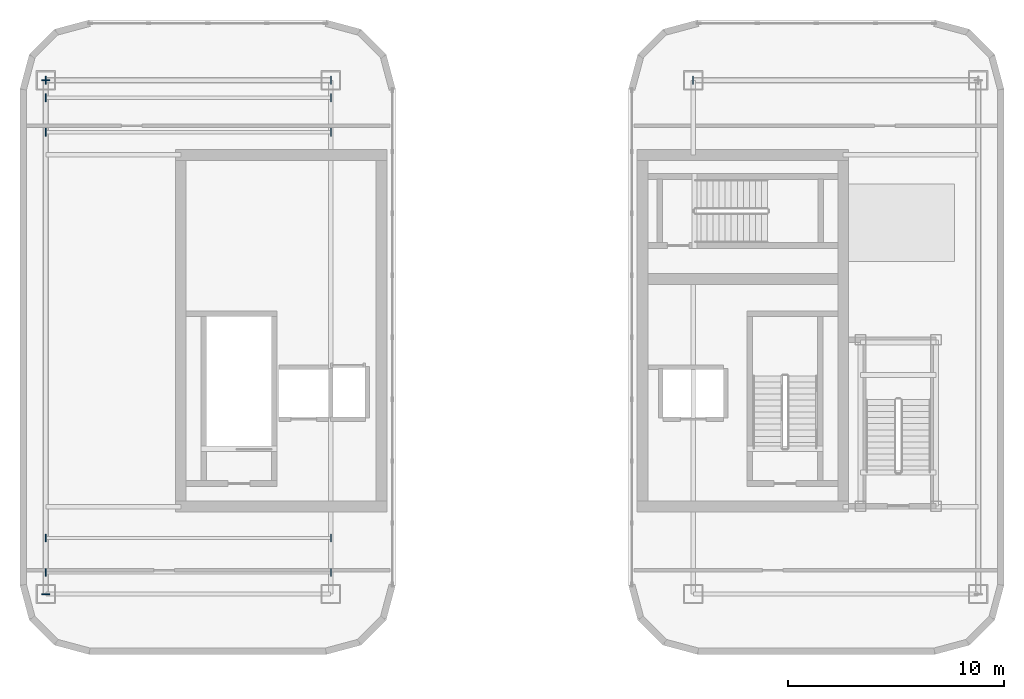
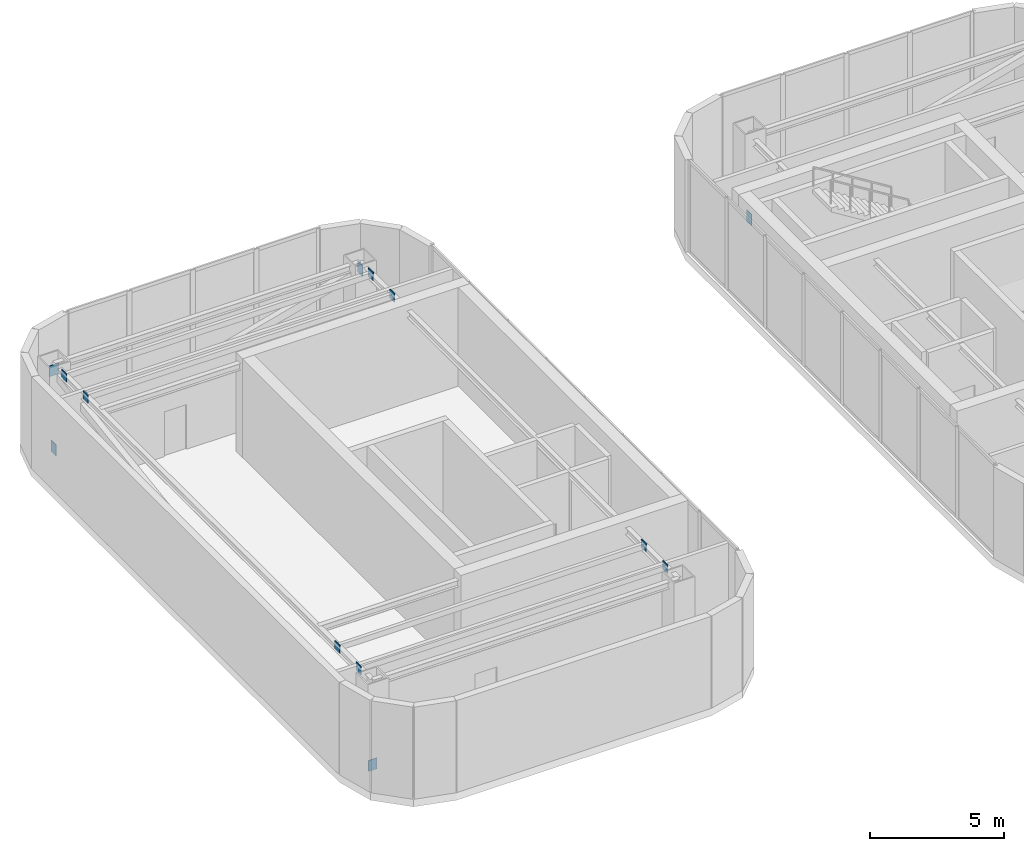
# One storey, part 9 of 13: 13 plates.
"""IFC4 building model written with IfcOpenShell, lengths in metres."""

import ifcopenshell
import ifcopenshell.guid

model = None  # the IFC model being written
_history = None  # IfcOwnerHistory: only IFC2X3 demands one
_inside = {}  # id of a spatial element -> (the spatial element, [elements in it])
_under = {}  # id of a project, library or spatial element -> (it, [spatial elements below it])
_declared = {}  # id of a project -> (the project, [libraries it declares])
_typed = {}  # id of a type object -> (the type object, [elements of that type])
_made_of = {}  # id of a material, layer set ... -> (it, [elements and type objects made of it])


def new_model(schema):
    """Start an empty IFC model of exactly this schema.

    Asked for "IFC4X3", IfcOpenShell would pick the latest addendum, in which some entities
    have other attributes; the version numbers below select the first issue.
    IFC2X3 requires an IfcOwnerHistory on every rooted entity: one is made here for all.
    """
    global model, _history
    if schema == "IFC4X3":
        model = ifcopenshell.file(schema_version=(4, 3, 0, 0))
    else:
        model = ifcopenshell.file(schema=schema)
    _inside.clear()
    _under.clear()
    _declared.clear()
    _typed.clear()
    _made_of.clear()
    _history = None
    if model.schema == "IFC2X3":
        org = make("IfcOrganization", Name="unknown")
        user = make(
            "IfcPersonAndOrganization",
            ThePerson=make("IfcPerson", FamilyName="unknown"),
            TheOrganization=org,
        )
        app = make(
            "IfcApplication",
            ApplicationDeveloper=org,
            Version="unknown",
            ApplicationFullName="unknown",
            ApplicationIdentifier="unknown",
        )
        _history = make(
            "IfcOwnerHistory",
            OwningUser=user,
            OwningApplication=app,
            ChangeAction="ADDED",
            CreationDate=0,
        )
    return model


def make(cls, **values):
    """One entity of the class cls with the attributes given. An attribute that is None is left unset."""
    return model.create_entity(
        cls, **{name: value for name, value in values.items() if value is not None}
    )


def rooted(cls, **values):
    """An entity with a GlobalId (a new one), such as an element, a storey or a relation."""
    return make(cls, GlobalId=ifcopenshell.guid.new(), OwnerHistory=_history, **values)


def si_unit(unit_type, name, prefix=None):
    """IfcSIUnit, for example si_unit("LENGTHUNIT", "METRE", prefix="MILLI")."""
    return make("IfcSIUnit", UnitType=unit_type, Prefix=prefix, Name=name)


def assignment(units):
    """IfcUnitAssignment: the units of a project."""
    return None if units is None else make("IfcUnitAssignment", Units=units)


def point(xyz):
    """IfcCartesianPoint."""
    return None if xyz is None else make("IfcCartesianPoint", Coordinates=xyz)


def direction(xyz):
    """IfcDirection."""
    return None if xyz is None else make("IfcDirection", DirectionRatios=xyz)


def frame(location, z_axis=None, x_axis=None):
    """IfcAxis2Placement3D, a coordinate frame: its origin and axes. An axis left out is left unset."""
    return make(
        "IfcAxis2Placement3D",
        Location=point(location),
        Axis=direction(z_axis),
        RefDirection=direction(x_axis),
    )


def frame_2d(location, x_axis=None):
    """IfcAxis2Placement2D, a coordinate frame in the plane: its origin and x axis."""
    return make(
        "IfcAxis2Placement2D", Location=point(location), RefDirection=direction(x_axis)
    )


def origin():
    """The frame at (0, 0, 0) with its axes left unset."""
    return frame((0.0, 0.0, 0.0))


def origin_2d():
    """The frame at (0, 0) in the plane with its x axis left unset."""
    return frame_2d((0.0, 0.0))


def place(relative_to, where):
    """IfcLocalPlacement: puts the frame where relative to a parent placement (None: the world)."""
    return make(
        "IfcLocalPlacement", PlacementRelTo=relative_to, RelativePlacement=where
    )


def context(
    kind, dimensions, precision=None, world=None, true_north=None, identifier=None
):
    """IfcGeometricRepresentationContext, for example the 3D "Model" context."""
    return make(
        "IfcGeometricRepresentationContext",
        ContextIdentifier=identifier,
        ContextType=kind,
        CoordinateSpaceDimension=dimensions,
        Precision=precision,
        WorldCoordinateSystem=world,
        TrueNorth=true_north,
    )


def subcontext(parent, identifier, kind, view, scale=None):
    """IfcGeometricRepresentationSubContext, for example "Body" below "Model"."""
    return make(
        "IfcGeometricRepresentationSubContext",
        ContextIdentifier=identifier,
        ContextType=kind,
        ParentContext=parent,
        TargetScale=scale,
        TargetView=view,
    )


def project(units=None, contexts=None):
    """IfcProject with its units and contexts."""
    return rooted(
        "IfcProject",
        Name="project",
        RepresentationContexts=contexts,
        UnitsInContext=assignment(units),
    )


def spatial(cls, under=None, at=None, **own):
    """A site, building, storey or space (cls), placed at a placement, below another one or the project."""
    s = rooted(cls, ObjectPlacement=at, **own)
    if under is not None:
        _under.setdefault(under.id(), (under, []))[1].append(s)
    return s


def profile(cls, at=None, kind="AREA", **sizes):
    """A parametric profile (cls). Its sizes go by their IFC names, for example OverallWidth=200.0."""
    return make(cls, ProfileType=kind, Position=at, **sizes)


def rectangle(**sizes):
    """IfcRectangleProfileDef."""
    return profile("IfcRectangleProfileDef", **sizes)


def extrude(swept, where, along, depth):
    """IfcExtrudedAreaSolid: the profile swept, set in the frame where, extruded along a direction by depth."""
    return make(
        "IfcExtrudedAreaSolid",
        SweptArea=swept,
        Position=where,
        ExtrudedDirection=direction(along),
        Depth=depth,
    )


def shape(context_of_items, identifier, shape_type, items):
    """IfcShapeRepresentation: the items that make up one representation, for example the "Body"."""
    return make(
        "IfcShapeRepresentation",
        ContextOfItems=context_of_items,
        RepresentationIdentifier=identifier,
        RepresentationType=shape_type,
        Items=items,
    )


def material(Name=None, Category=None):
    """IfcMaterial."""
    return make("IfcMaterial", Name=Name, Category=Category)


def layer(
    of_material, thickness, ventilated=None, Name=None, Category=None, Priority=None
):
    """IfcMaterialLayer: one layer of a wall or slab, of a material (None: an air gap)."""
    return make(
        "IfcMaterialLayer",
        Material=of_material,
        LayerThickness=thickness,
        IsVentilated=ventilated,
        Name=Name,
        Category=Category,
        Priority=Priority,
    )


def layer_set(layers, Name=None):
    """IfcMaterialLayerSet."""
    return make("IfcMaterialLayerSet", MaterialLayers=layers, LayerSetName=Name)


def made_of(thing, what):
    """Note that an element or type object is made of a material, layer set ...; save() writes the relation."""
    if what is not None:
        _made_of.setdefault(what.id(), (what, []))[1].append(thing)
    return thing


def type_object(cls, material=None, **own):
    """A type object (cls), such as IfcWallType, which elements share."""
    return made_of(rooted(cls, **own), material)


def element(
    cls,
    number,
    at=None,
    inside=None,
    cuts=None,
    type_object=None,
    material=None,
    context=None,
    identifier="Body",
    shape_type=None,
    held_by="IfcProductDefinitionShape",
    body=None,
    shapes=None,
    **own,
):
    """One element of the class cls, such as IfcWall. Its Tag is "e" and its number.

    at: its placement. inside: the storey or other place that contains it. cuts: it is an
    opening in that element (IfcRelVoidsElement). A single representation is given by context,
    identifier, shape_type and body (its items); several are given by shapes. held_by: the class
    of the entity that holds the representations. save() writes the other relations.
    """
    e = rooted(cls, Tag="e%d" % number, ObjectPlacement=at, **own)
    if body is not None:
        shapes = [shape(context, identifier, shape_type, body)]
    if shapes is not None:
        e.Representation = make(held_by, Representations=shapes)
    if inside is not None:
        _inside.setdefault(inside.id(), (inside, []))[1].append(e)
    if cuts is not None:
        rooted(
            "IfcRelVoidsElement", RelatingBuildingElement=cuts, RelatedOpeningElement=e
        )
    if type_object is not None:
        _typed.setdefault(type_object.id(), (type_object, []))[1].append(e)
    return made_of(e, material)


def aggregate(whole, parts):
    """IfcRelAggregates: a whole, such as a stair, and the parts it consists of."""
    return rooted("IfcRelAggregates", RelatingObject=whole, RelatedObjects=parts)


def save(model, path):
    """Write the relations noted so far, then the file.

    IfcRelAggregates (storeys below a building ...), IfcRelContainedInSpatialStructure (elements
    in a storey), IfcRelDefinesByType, IfcRelAssociatesMaterial and IfcRelDeclares: one each for
    every whole, place, type object, material and project.
    """
    for whole, parts in _under.values():
        aggregate(whole, parts)
    for where, things in _inside.values():
        rooted(
            "IfcRelContainedInSpatialStructure",
            RelatedElements=things,
            RelatingStructure=where,
        )
    for kind, things in _typed.values():
        rooted("IfcRelDefinesByType", RelatedObjects=things, RelatingType=kind)
    for what, things in _made_of.values():
        rooted("IfcRelAssociatesMaterial", RelatedObjects=things, RelatingMaterial=what)
    for by, libraries in _declared.values():
        rooted("IfcRelDeclares", RelatingContext=by, RelatedDefinitions=libraries)
    model.write(path)


model = new_model("IFC4")

# Units and contexts
model_context = context("Model", 3, precision=1e-05, world=origin(), true_north=direction((0.0, 1.0)))
body_context = subcontext(model_context, "Body", "Model", "MODEL_VIEW")
ifc_project = project(units=[si_unit("LENGTHUNIT", "METRE"), si_unit("AREAUNIT", "SQUARE_METRE"), si_unit("VOLUMEUNIT", "CUBIC_METRE"), si_unit("PLANEANGLEUNIT", "RADIAN"), si_unit("MASSUNIT", "GRAM", prefix="KILO")], contexts=[model_context])

# Site, building, storey
site_placement = place(None, origin())
site = spatial("IfcSite", under=ifc_project, at=site_placement, CompositionType="ELEMENT")
building_placement = place(site_placement, origin())
building = spatial("IfcBuilding", under=site, at=building_placement, Name="Kiyonajd Concourse Tower", CompositionType="ELEMENT")
storey_placement = place(building_placement, frame((0.0, 0.0, 363.89990234375)))
storey = spatial("IfcBuildingStorey", under=building, at=storey_placement, Name="L91", CompositionType="ELEMENT", Elevation=363.89990234375)

# Plates
ifc_material = material(Name="Steel ASTM A572 Grade 50", Category="steel")
ifc_layer = layer(ifc_material, 0.028076171875)
ifc_layer_set = layer_set([ifc_layer], Name="Steel ASTM A572 Grade 50")
plate_type = type_object("IfcPlateType", Name="PL-CAP-450", PredefinedType="USERDEFINED", material=ifc_layer_set)
for number, where, z_axis, x_axis, name in (
    (1, (26.389404296875, 47.60009765625, 0.046142578125), (0.0, 0.0, 1.0), (-1.0, 0.0, 0.0), "L91 Crown Wind Brace Cap"),
    (2, (39.610595703125, 47.60009765625, 3.60205078125), (0.0, 0.0, 1.0), (1.0, 0.0, 0.0), "L91 Crown Wind Brace Cap"),
):
    element("IfcPlate", number, at=place(storey_placement, frame(where, z_axis=z_axis, x_axis=x_axis)), inside=storey, type_object=plate_type, Name=name, ObjectType="CAP PLATE", PredefinedType="USERDEFINED", context=body_context, shape_type="SweptSolid", body=[
        extrude(rectangle(XDim=0.035888671875, YDim=0.3701171875, at=origin_2d()), origin(), (0.0, 0.0, 1.0), 0.501953125),
    ])
for number, where, z_axis, x_axis, name in (
    (3, (26.39990234375, 23.7890625, 0.0517578125), (0.0, 0.0, 1.0), (0.0, -1.0, 0.0), "L91 Crown Wind Brace Cap"),
    (4, (26.39990234375, 47.61083984375, 3.60498046875), (0.0, 0.0, 1.0), (0.0, 1.0, 0.0), "L91 Crown Wind Brace Cap"),
):
    element("IfcPlate", number, at=place(storey_placement, frame(where, z_axis=z_axis, x_axis=x_axis)), inside=storey, type_object=plate_type, Name=name, ObjectType="CAP PLATE", PredefinedType="USERDEFINED", context=body_context, shape_type="SweptSolid", body=[
        extrude(rectangle(XDim=0.035888671875, YDim=0.3701171875, at=origin_2d()), origin(), (0.0, 0.0, 1.0), 0.493896484375),
    ])
for number, where, z_axis, x_axis, name in (
    (5, (26.388916015625, 24.800048828125, 3.88037109375), (0.0, 0.0, 1.0), (-1.0, 0.0, 0.0), "L91 Crown Purlin End Cap"),
    (6, (39.611083984375, 24.800048828125, 3.88037109375), (0.0, 0.0, 1.0), (1.0, 0.0, 0.0), "L91 Crown Purlin End Cap"),
    (7, (26.388916015625, 26.39990234375, 3.88037109375), (0.0, 0.0, 1.0), (-1.0, 0.0, 0.0), "L91 Crown Purlin End Cap"),
    (8, (39.611083984375, 26.39990234375, 3.88037109375), (0.0, 0.0, 1.0), (1.0, 0.0, 0.0), "L91 Crown Purlin End Cap"),
    (9, (26.388916015625, 45.199951171875, 3.88037109375), (0.0, 0.0, 1.0), (-1.0, 0.0, 0.0), "L91 Crown Purlin End Cap"),
    (10, (39.611083984375, 45.199951171875, 3.88037109375), (0.0, 0.0, 1.0), (1.0, 0.0, 0.0), "L91 Crown Purlin End Cap"),
    (11, (26.388916015625, 46.800048828125, 3.88037109375), (0.0, 0.0, 1.0), (-1.0, 0.0, 0.0), "L91 Crown Purlin End Cap"),
    (12, (39.611083984375, 46.800048828125, 3.88037109375), (0.0, 0.0, 1.0), (1.0, 0.0, 0.0), "L91 Crown Purlin End Cap"),
):
    element("IfcPlate", number, at=place(storey_placement, frame(where, z_axis=z_axis, x_axis=x_axis)), inside=storey, type_object=plate_type, Name=name, ObjectType="CAP PLATE", PredefinedType="USERDEFINED", context=body_context, shape_type="SweptSolid", body=[
        extrude(rectangle(XDim=0.035888671875, YDim=0.360107421875, at=origin_2d()), origin(), (0.0, 0.0, 1.0), 0.389892578125),
    ])
plate_placement = place(storey_placement, frame((56.389404296875, 47.60009765625, 0.046142578125), z_axis=(0.0, 0.0, 1.0), x_axis=(-1.0, 0.0, 0.0)))
element("IfcPlate", 13, at=plate_placement, inside=storey, type_object=plate_type, Name="L91 Crown Wind Brace Cap", ObjectType="CAP PLATE", PredefinedType="USERDEFINED", context=body_context, shape_type="SweptSolid", body=[
    extrude(rectangle(XDim=0.035888671875, YDim=0.3701171875, at=origin_2d()), origin(), (0.0, 0.0, 1.0), 0.501953125),
])

save(model, "model.ifc")
